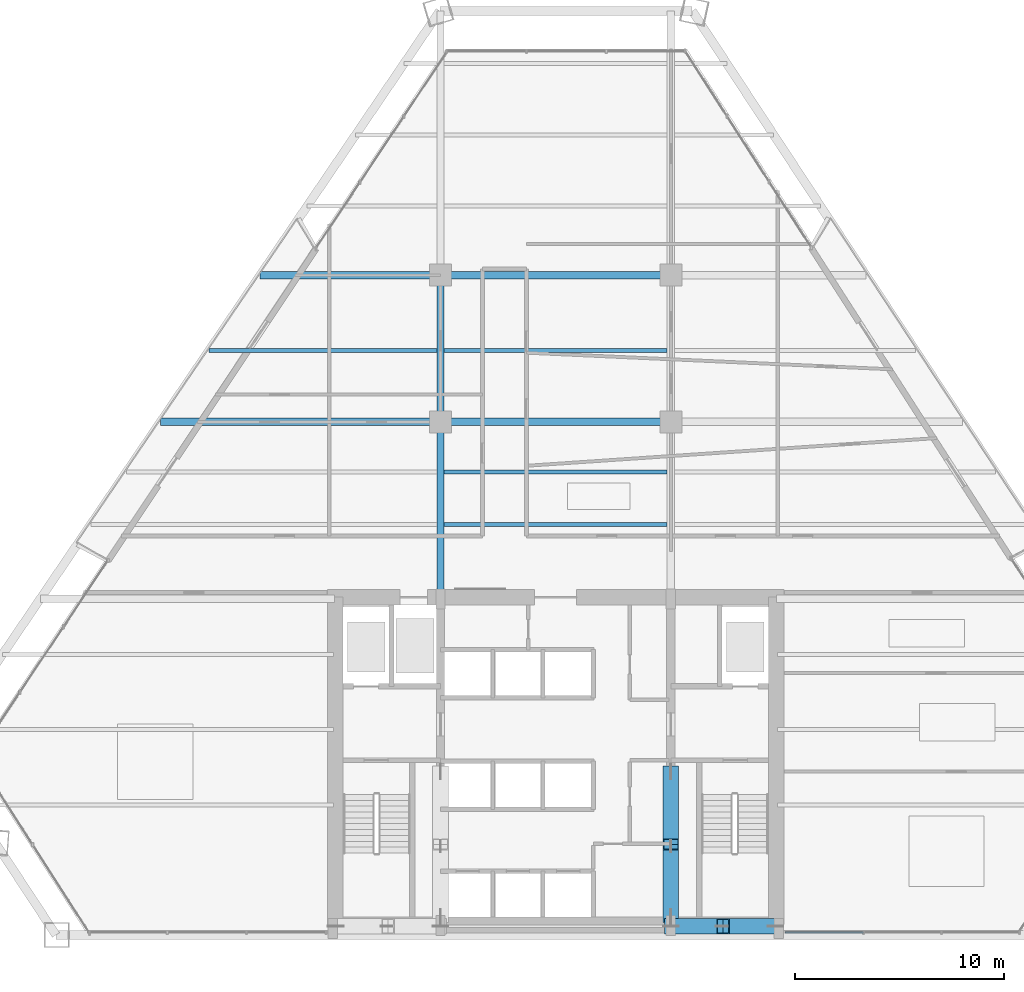
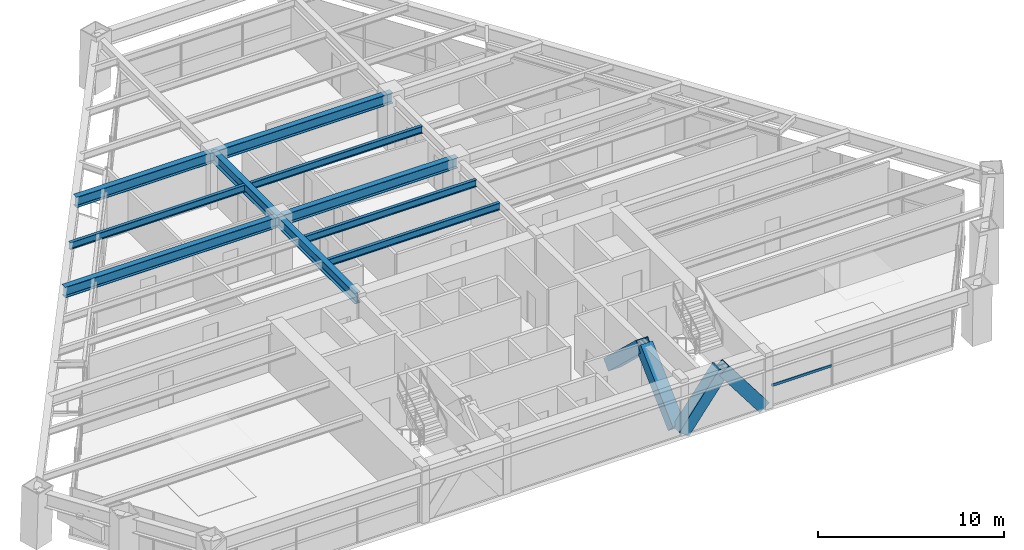
# One storey, part 5 of 15: 10 beams, 5 members, 1 element without a shape of its own.
"""IFC4 building model written with IfcOpenShell, lengths in metres."""

import ifcopenshell
import ifcopenshell.guid

model = None  # the IFC model being written
_history = None  # IfcOwnerHistory: only IFC2X3 demands one
_inside = {}  # id of a spatial element -> (the spatial element, [elements in it])
_under = {}  # id of a project, library or spatial element -> (it, [spatial elements below it])
_declared = {}  # id of a project -> (the project, [libraries it declares])
_typed = {}  # id of a type object -> (the type object, [elements of that type])
_made_of = {}  # id of a material, layer set ... -> (it, [elements and type objects made of it])


def new_model(schema):
    """Start an empty IFC model of exactly this schema.

    Asked for "IFC4X3", IfcOpenShell would pick the latest addendum, in which some entities
    have other attributes; the version numbers below select the first issue.
    IFC2X3 requires an IfcOwnerHistory on every rooted entity: one is made here for all.
    """
    global model, _history
    if schema == "IFC4X3":
        model = ifcopenshell.file(schema_version=(4, 3, 0, 0))
    else:
        model = ifcopenshell.file(schema=schema)
    _inside.clear()
    _under.clear()
    _declared.clear()
    _typed.clear()
    _made_of.clear()
    _history = None
    if model.schema == "IFC2X3":
        org = make("IfcOrganization", Name="unknown")
        user = make(
            "IfcPersonAndOrganization",
            ThePerson=make("IfcPerson", FamilyName="unknown"),
            TheOrganization=org,
        )
        app = make(
            "IfcApplication",
            ApplicationDeveloper=org,
            Version="unknown",
            ApplicationFullName="unknown",
            ApplicationIdentifier="unknown",
        )
        _history = make(
            "IfcOwnerHistory",
            OwningUser=user,
            OwningApplication=app,
            ChangeAction="ADDED",
            CreationDate=0,
        )
    return model


def make(cls, **values):
    """One entity of the class cls with the attributes given. An attribute that is None is left unset."""
    return model.create_entity(
        cls, **{name: value for name, value in values.items() if value is not None}
    )


def rooted(cls, **values):
    """An entity with a GlobalId (a new one), such as an element, a storey or a relation."""
    return make(cls, GlobalId=ifcopenshell.guid.new(), OwnerHistory=_history, **values)


def si_unit(unit_type, name, prefix=None):
    """IfcSIUnit, for example si_unit("LENGTHUNIT", "METRE", prefix="MILLI")."""
    return make("IfcSIUnit", UnitType=unit_type, Prefix=prefix, Name=name)


def assignment(units):
    """IfcUnitAssignment: the units of a project."""
    return None if units is None else make("IfcUnitAssignment", Units=units)


def point(xyz):
    """IfcCartesianPoint."""
    return None if xyz is None else make("IfcCartesianPoint", Coordinates=xyz)


def direction(xyz):
    """IfcDirection."""
    return None if xyz is None else make("IfcDirection", DirectionRatios=xyz)


def frame(location, z_axis=None, x_axis=None):
    """IfcAxis2Placement3D, a coordinate frame: its origin and axes. An axis left out is left unset."""
    return make(
        "IfcAxis2Placement3D",
        Location=point(location),
        Axis=direction(z_axis),
        RefDirection=direction(x_axis),
    )


def frame_2d(location, x_axis=None):
    """IfcAxis2Placement2D, a coordinate frame in the plane: its origin and x axis."""
    return make(
        "IfcAxis2Placement2D", Location=point(location), RefDirection=direction(x_axis)
    )


def origin():
    """The frame at (0, 0, 0) with its axes left unset."""
    return frame((0.0, 0.0, 0.0))


def origin_2d():
    """The frame at (0, 0) in the plane with its x axis left unset."""
    return frame_2d((0.0, 0.0))


def place(relative_to, where):
    """IfcLocalPlacement: puts the frame where relative to a parent placement (None: the world)."""
    return make(
        "IfcLocalPlacement", PlacementRelTo=relative_to, RelativePlacement=where
    )


def context(
    kind, dimensions, precision=None, world=None, true_north=None, identifier=None
):
    """IfcGeometricRepresentationContext, for example the 3D "Model" context."""
    return make(
        "IfcGeometricRepresentationContext",
        ContextIdentifier=identifier,
        ContextType=kind,
        CoordinateSpaceDimension=dimensions,
        Precision=precision,
        WorldCoordinateSystem=world,
        TrueNorth=true_north,
    )


def subcontext(parent, identifier, kind, view, scale=None):
    """IfcGeometricRepresentationSubContext, for example "Body" below "Model"."""
    return make(
        "IfcGeometricRepresentationSubContext",
        ContextIdentifier=identifier,
        ContextType=kind,
        ParentContext=parent,
        TargetScale=scale,
        TargetView=view,
    )


def project(units=None, contexts=None):
    """IfcProject with its units and contexts."""
    return rooted(
        "IfcProject",
        Name="project",
        RepresentationContexts=contexts,
        UnitsInContext=assignment(units),
    )


def spatial(cls, under=None, at=None, **own):
    """A site, building, storey or space (cls), placed at a placement, below another one or the project."""
    s = rooted(cls, ObjectPlacement=at, **own)
    if under is not None:
        _under.setdefault(under.id(), (under, []))[1].append(s)
    return s


def profile(cls, at=None, kind="AREA", **sizes):
    """A parametric profile (cls). Its sizes go by their IFC names, for example OverallWidth=200.0."""
    return make(cls, ProfileType=kind, Position=at, **sizes)


def rectangle(**sizes):
    """IfcRectangleProfileDef."""
    return profile("IfcRectangleProfileDef", **sizes)


def hollow_rectangle(**sizes):
    """IfcRectangleHollowProfileDef."""
    return profile("IfcRectangleHollowProfileDef", **sizes)


def i_section(**sizes):
    """IfcIShapeProfileDef."""
    return profile("IfcIShapeProfileDef", **sizes)


def extrude(swept, where, along, depth):
    """IfcExtrudedAreaSolid: the profile swept, set in the frame where, extruded along a direction by depth."""
    return make(
        "IfcExtrudedAreaSolid",
        SweptArea=swept,
        Position=where,
        ExtrudedDirection=direction(along),
        Depth=depth,
    )


def shape(context_of_items, identifier, shape_type, items):
    """IfcShapeRepresentation: the items that make up one representation, for example the "Body"."""
    return make(
        "IfcShapeRepresentation",
        ContextOfItems=context_of_items,
        RepresentationIdentifier=identifier,
        RepresentationType=shape_type,
        Items=items,
    )


def source(mapping_origin, context_of_items, identifier, shape_type, items):
    """IfcRepresentationMap: a shape defined once, which mapped items show again and again."""
    return make(
        "IfcRepresentationMap",
        MappingOrigin=mapping_origin,
        MappedRepresentation=shape(context_of_items, identifier, shape_type, items),
    )


def transform(
    local_origin,
    x_axis=None,
    y_axis=None,
    z_axis=None,
    scale=None,
    scale2=None,
    scale3=None,
    uniform=True,
):
    """IfcCartesianTransformationOperator3D, or its non-uniform kind. x_axis, y_axis, z_axis: its Axis1, 2, 3."""
    if uniform:
        return make(
            "IfcCartesianTransformationOperator3D",
            Axis1=direction(x_axis),
            Axis2=direction(y_axis),
            LocalOrigin=point(local_origin),
            Scale=scale,
            Axis3=direction(z_axis),
        )
    return make(
        "IfcCartesianTransformationOperator3DnonUniform",
        Axis1=direction(x_axis),
        Axis2=direction(y_axis),
        LocalOrigin=point(local_origin),
        Scale=scale,
        Axis3=direction(z_axis),
        Scale2=scale2,
        Scale3=scale3,
    )


def mapped(mapping_source, mapping_target):
    """IfcMappedItem: shows the shape of a source again, moved by a transform."""
    return make(
        "IfcMappedItem", MappingSource=mapping_source, MappingTarget=mapping_target
    )


def material(Name=None, Category=None):
    """IfcMaterial."""
    return make("IfcMaterial", Name=Name, Category=Category)


def material_profile(
    of_material, cross_section, Name=None, Category=None, Priority=None
):
    """IfcMaterialProfile: a cross section and its material."""
    return make(
        "IfcMaterialProfile",
        Name=Name,
        Material=of_material,
        Profile=cross_section,
        Priority=Priority,
        Category=Category,
    )


def profile_set(profiles, Name=None, composite=None):
    """IfcMaterialProfileSet."""
    return make(
        "IfcMaterialProfileSet",
        Name=Name,
        MaterialProfiles=profiles,
        CompositeProfile=composite,
    )


def made_of(thing, what):
    """Note that an element or type object is made of a material, layer set ...; save() writes the relation."""
    if what is not None:
        _made_of.setdefault(what.id(), (what, []))[1].append(thing)
    return thing


def type_object(cls, material=None, **own):
    """A type object (cls), such as IfcWallType, which elements share."""
    return made_of(rooted(cls, **own), material)


def type_shapes(of_type, sources):
    """Give a type object the sources (RepresentationMaps) that its elements show as mapped items."""
    of_type.RepresentationMaps = sources


def element(
    cls,
    number,
    at=None,
    inside=None,
    cuts=None,
    type_object=None,
    material=None,
    context=None,
    identifier="Body",
    shape_type=None,
    held_by="IfcProductDefinitionShape",
    body=None,
    shapes=None,
    **own,
):
    """One element of the class cls, such as IfcWall. Its Tag is "e" and its number.

    at: its placement. inside: the storey or other place that contains it. cuts: it is an
    opening in that element (IfcRelVoidsElement). A single representation is given by context,
    identifier, shape_type and body (its items); several are given by shapes. held_by: the class
    of the entity that holds the representations. save() writes the other relations.
    """
    e = rooted(cls, Tag="e%d" % number, ObjectPlacement=at, **own)
    if body is not None:
        shapes = [shape(context, identifier, shape_type, body)]
    if shapes is not None:
        e.Representation = make(held_by, Representations=shapes)
    if inside is not None:
        _inside.setdefault(inside.id(), (inside, []))[1].append(e)
    if cuts is not None:
        rooted(
            "IfcRelVoidsElement", RelatingBuildingElement=cuts, RelatedOpeningElement=e
        )
    if type_object is not None:
        _typed.setdefault(type_object.id(), (type_object, []))[1].append(e)
    return made_of(e, material)


def aggregate(whole, parts):
    """IfcRelAggregates: a whole, such as a stair, and the parts it consists of."""
    return rooted("IfcRelAggregates", RelatingObject=whole, RelatedObjects=parts)


def save(model, path):
    """Write the relations noted so far, then the file.

    IfcRelAggregates (storeys below a building ...), IfcRelContainedInSpatialStructure (elements
    in a storey), IfcRelDefinesByType, IfcRelAssociatesMaterial and IfcRelDeclares: one each for
    every whole, place, type object, material and project.
    """
    for whole, parts in _under.values():
        aggregate(whole, parts)
    for where, things in _inside.values():
        rooted(
            "IfcRelContainedInSpatialStructure",
            RelatedElements=things,
            RelatingStructure=where,
        )
    for kind, things in _typed.values():
        rooted("IfcRelDefinesByType", RelatedObjects=things, RelatingType=kind)
    for what, things in _made_of.values():
        rooted("IfcRelAssociatesMaterial", RelatedObjects=things, RelatingMaterial=what)
    for by, libraries in _declared.values():
        rooted("IfcRelDeclares", RelatingContext=by, RelatedDefinitions=libraries)
    model.write(path)


model = new_model("IFC4")

# Units and contexts
model_context = context("Model", 3, precision=1e-05, world=origin(), true_north=direction((0.0, 1.0)))
body_context = subcontext(model_context, "Body", "Model", "MODEL_VIEW")
ifc_project = project(units=[si_unit("LENGTHUNIT", "METRE"), si_unit("AREAUNIT", "SQUARE_METRE"), si_unit("VOLUMEUNIT", "CUBIC_METRE"), si_unit("PLANEANGLEUNIT", "RADIAN"), si_unit("MASSUNIT", "GRAM", prefix="KILO")], contexts=[model_context])

# Site, building, storey
site_placement = place(None, origin())
site = spatial("IfcSite", under=ifc_project, at=site_placement, CompositionType="ELEMENT")
building_placement = place(site_placement, origin())
building = spatial("IfcBuilding", under=site, at=building_placement, Name="Varnakhor Terracotta Tower", CompositionType="ELEMENT")
storey_placement = place(building_placement, frame((0.0, 0.0, 109.89990234375)))
storey = spatial("IfcBuildingStorey", under=building, at=storey_placement, Name="L27", CompositionType="ELEMENT", Elevation=109.89990234375)

# Beams
ifc_material_1 = material(Name="Steel S355", Category="steel")
ifc_material_profile_1 = material_profile(ifc_material_1, i_section(OverallWidth=0.35498046875, OverallDepth=0.695068359375, WebThickness=0.014892578125, FlangeThickness=0.02490234375, FilletRadius=0.01806640625, at=origin_2d()), Name="W27X146")
ifc_profile_set_1 = profile_set([ifc_material_profile_1], Name="Steel S355")
beam_type_1 = type_object("IfcBeamType", Name="BM-W27X146", PredefinedType="BEAM", material=ifc_profile_set_1)
shared_shape_1 = source(origin(), body_context, "Body", "SweptSolid", [
    extrude(i_section(OverallWidth=0.35498046875, OverallDepth=0.695068359375, WebThickness=0.014892578125, FlangeThickness=0.02490234375, FilletRadius=0.01806640625, at=origin_2d()), origin(), (0.0, 0.0, 1.0), 8.449951171875),
])
type_shapes(beam_type_1, [shared_shape_1])
beam_1_placement = place(storey_placement, frame((-5.5, 16.050048828125, 3.1025390625), z_axis=(0.0, 1.0, 0.0), x_axis=(-1.0, 0.0, 0.0)))
element("IfcBeam", 1, at=beam_1_placement, inside=storey, type_object=beam_type_1, Name="L27 Primary Girder NS1-W", PredefinedType="BEAM", context=body_context, shape_type="MappedRepresentation", body=[
    mapped(shared_shape_1, transform((0.0, 0.0, 0.0), scale=1.0)),
])
shared_shape_2 = source(origin(), body_context, "Body", "SweptSolid", [
    extrude(i_section(OverallWidth=0.35498046875, OverallDepth=0.695068359375, WebThickness=0.014892578125, FlangeThickness=0.02490234375, FilletRadius=0.01806640625, at=origin_2d()), origin(), (0.0, 0.0, 1.0), 7.0),
])
beam_2_placement = place(storey_placement, frame((-5.5, 24.5, 3.1025390625), z_axis=(0.0, 1.0, 0.0), x_axis=(-1.0, 0.0, 0.0)))
element("IfcBeam", 2, at=beam_2_placement, inside=storey, type_object=beam_type_1, Name="L27 Primary Girder NS2-W", PredefinedType="BEAM", context=body_context, shape_type="MappedRepresentation", body=[
    mapped(shared_shape_2, transform((0.0, 0.0, 0.0), scale=1.0)),
])
shared_shape_3 = source(origin(), body_context, "Body", "SweptSolid", [
    extrude(i_section(OverallWidth=0.35498046875, OverallDepth=0.695068359375, WebThickness=0.014892578125, FlangeThickness=0.02490234375, FilletRadius=0.01806640625, at=origin_2d()), origin(), (0.0, 0.0, 1.0), 11.0),
])
for number, where, z_axis, x_axis, name in (
    (3, (-5.5, 24.5, 3.1025390625), (1.0, 0.0, 0.0), (0.0, 1.0, 0.0), "L27 Primary Girder EW2-2"),
    (4, (-5.5, 31.5, 3.1025390625), (1.0, 0.0, 0.0), (0.0, 1.0, 0.0), "L27 Primary Girder EW3-2"),
):
    element("IfcBeam", number, at=place(storey_placement, frame(where, z_axis=z_axis, x_axis=x_axis)), inside=storey, type_object=beam_type_1, Name=name, PredefinedType="BEAM", context=body_context, shape_type="MappedRepresentation", body=[
        mapped(shared_shape_3, transform((0.0, 0.0, 0.0), scale=1.0)),
    ])
ifc_material_profile_2 = material_profile(ifc_material_1, i_section(OverallWidth=0.19189453125, OverallDepth=0.462890625, WebThickness=0.010498046875, FlangeThickness=0.017578125, FilletRadius=0.01806640625, at=origin_2d()), Name="W18X60")
ifc_profile_set_2 = profile_set([ifc_material_profile_2], Name="Steel S355")
beam_type_2 = type_object("IfcBeamType", Name="JST-W18X60", PredefinedType="JOIST", material=ifc_profile_set_2)
shared_shape_4 = source(origin(), body_context, "Body", "SweptSolid", [
    extrude(i_section(OverallWidth=0.19189453125, OverallDepth=0.462890625, WebThickness=0.010498046875, FlangeThickness=0.017578125, FilletRadius=0.01806640625, at=origin_2d()), origin(), (0.0, 0.0, 1.0), 10.65283203125),
])
for number, where, z_axis, x_axis, name in (
    (5, (-5.326416015625, 19.60009765625, 3.218505859375), (1.0, 0.0, 0.0), (0.0, 1.0, 0.0), "L27 Composite Floor Joist 4-2"),
    (6, (-5.326416015625, 22.10009765625, 3.218505859375), (1.0, 0.0, 0.0), (0.0, 1.0, 0.0), "L27 Composite Floor Joist 5-2"),
    (7, (-5.326416015625, 27.89990234375, 3.218505859375), (1.0, 0.0, 0.0), (0.0, 1.0, 0.0), "L27 Composite Floor Joist 6-2"),
):
    element("IfcBeam", number, at=place(storey_placement, frame(where, z_axis=z_axis, x_axis=x_axis)), inside=storey, type_object=beam_type_2, Name=name, PredefinedType="JOIST", context=body_context, shape_type="MappedRepresentation", body=[
        mapped(shared_shape_4, transform((0.0, 0.0, 0.0), scale=1.0)),
    ])

# Members
ifc_material_2 = material(Name="Steel S460", Category="steel")
ifc_material_profile_3 = material_profile(ifc_material_2, hollow_rectangle(XDim=0.75, YDim=0.75, WallThickness=0.044921875, at=origin_2d()), Name="HSS750X750X45")
ifc_profile_set_3 = profile_set([ifc_material_profile_3], Name="Steel S460")
member_type_1 = type_object("IfcMemberType", Name="MBR-MEGA-750", PredefinedType="BRACE", material=ifc_profile_set_3)
shared_shape_5 = source(origin(), body_context, "Body", "SweptSolid", [
    extrude(hollow_rectangle(XDim=0.75, YDim=0.75, WallThickness=0.044921875, at=origin_2d()), origin(), (0.0, 0.0, 1.0), 4.14013671875),
])
type_shapes(member_type_1, [shared_shape_5])
for number, where, z_axis, x_axis, name in (
    (8, (5.5, 0.419921875, 0.0), (0.603852011179, 0.0, 0.797096448741), (0.0, 1.0, 0.0), "L27 Core Coupled Brace CSEA"),
    (9, (10.5, 0.419921875, 0.0), (-0.603852011179, 0.0, 0.797096448741), (0.0, -1.0, 0.0), "L27 Core Coupled Brace CSEB"),
):
    element("IfcMember", number, at=place(storey_placement, frame(where, z_axis=z_axis, x_axis=x_axis)), inside=storey, type_object=member_type_1, Name=name, PredefinedType="BRACE", context=body_context, shape_type="MappedRepresentation", body=[
        mapped(shared_shape_5, transform((0.0, 0.0, 0.0), scale=1.0)),
    ])
shared_shape_6 = source(origin(), body_context, "Body", "SweptSolid", [
    extrude(hollow_rectangle(XDim=0.75, YDim=0.75, WallThickness=0.044921875, at=origin_2d()), origin(), (0.0, 0.0, 1.0), 4.792236328125),
])
for number, where, z_axis, x_axis, name in (
    (10, (5.5, 0.85009765625, 0.0), (0.0, 0.725110085518, 0.688632967466), (-1.0, 0.0, 0.0), "L27 Core Coupled Brace CWEA"),
    (11, (5.5, 7.800048828125, 0.0), (0.0, -0.72513424341, 0.688607529028), (1.0, 0.0, 0.0), "L27 Core Coupled Brace CWEB"),
):
    element("IfcMember", number, at=place(storey_placement, frame(where, z_axis=z_axis, x_axis=x_axis)), inside=storey, type_object=member_type_1, Name=name, PredefinedType="BRACE", context=body_context, shape_type="MappedRepresentation", body=[
        mapped(shared_shape_6, transform((0.0, 0.0, 0.0), scale=1.0)),
    ])

# Beams
shared_shape_7 = source(origin(), body_context, "Body", "SweptSolid", [
    extrude(i_section(OverallWidth=0.35498046875, OverallDepth=0.695068359375, WebThickness=0.014892578125, FlangeThickness=0.02490234375, FilletRadius=0.01806640625, at=origin_2d()), origin(), (0.0, 0.0, 1.0), 13.364501953125),
])
beam_3_placement = place(storey_placement, frame((-18.864501953125, 24.5, 3.1025390625), z_axis=(1.0, 0.0, 0.0), x_axis=(0.0, 1.0, 0.0)))
element("IfcBeam", 12, at=beam_3_placement, inside=storey, type_object=beam_type_1, Name="L27 Primary Girder EW2-1", PredefinedType="BEAM", context=body_context, shape_type="MappedRepresentation", body=[
    mapped(shared_shape_7, transform((0.0, 0.0, 0.0), scale=1.0)),
])
shared_shape_8 = source(origin(), body_context, "Body", "SweptSolid", [
    extrude(i_section(OverallWidth=0.35498046875, OverallDepth=0.695068359375, WebThickness=0.014892578125, FlangeThickness=0.02490234375, FilletRadius=0.01806640625, at=origin_2d()), origin(), (0.0, 0.0, 1.0), 8.606689453125),
])
beam_4_placement = place(storey_placement, frame((-14.106689453125, 31.5, 3.1025390625), z_axis=(1.0, 0.0, 0.0), x_axis=(0.0, 1.0, 0.0)))
element("IfcBeam", 13, at=beam_4_placement, inside=storey, type_object=beam_type_1, Name="L27 Primary Girder EW3-1", PredefinedType="BEAM", context=body_context, shape_type="MappedRepresentation", body=[
    mapped(shared_shape_8, transform((0.0, 0.0, 0.0), scale=1.0)),
])
shared_shape_9 = source(origin(), body_context, "Body", "SweptSolid", [
    extrude(i_section(OverallWidth=0.19189453125, OverallDepth=0.462890625, WebThickness=0.010498046875, FlangeThickness=0.017578125, FilletRadius=0.01806640625, at=origin_2d()), origin(), (0.0, 0.0, 1.0), 10.880126953125),
])
beam_5_placement = place(storey_placement, frame((-16.5537109375, 27.89990234375, 3.218505859375), z_axis=(1.0, 0.0, 0.0), x_axis=(0.0, 1.0, 0.0)))
element("IfcBeam", 14, at=beam_5_placement, inside=storey, type_object=beam_type_2, Name="L27 Composite Floor Joist 6-1", PredefinedType="JOIST", context=body_context, shape_type="MappedRepresentation", body=[
    mapped(shared_shape_9, transform((0.0, 0.0, 0.0), scale=1.0)),
])

# Curtain wall, member
ifc_material_3 = material(Name="Anodised Aluminium Curtain Wall System", Category="aluminium")
curtain_wall_type = type_object("IfcCurtainWallType", Name="CW-SYS-LOW-OFFICE", PredefinedType="NOTDEFINED", material=ifc_material_3)
curtain_wall_placement = place(storey_placement, origin())
curtain_wall = element("IfcCurtainWall", 15, at=curtain_wall_placement, inside=storey, type_object=curtain_wall_type, Name="L27 South Wing Curtain Wall SSE", PredefinedType="NOTDEFINED")
ifc_material_4 = material(Name="Anodised Aluminium 6063-T6", Category="aluminium")
ifc_material_profile_4 = material_profile(ifc_material_4, rectangle(XDim=0.074951171875, YDim=0.1650390625, at=origin_2d()), Name="ALU TRANSOM 75x165")
ifc_profile_set_4 = profile_set([ifc_material_profile_4], Name="Anodised Aluminium 6063-T6")
member_type_2 = type_object("IfcMemberType", Name="CWT-02", PredefinedType="USERDEFINED", material=ifc_profile_set_4)
shared_shape_10 = source(origin(), body_context, "Body", "SweptSolid", [
    extrude(rectangle(XDim=0.074951171875, YDim=0.1650390625, at=origin_2d()), origin(), (0.0, 0.0, 1.0), 3.72412109375),
])
member_placement = place(storey_placement, frame((14.694091796875, 0.1201171875, 1.272705078125), z_axis=(-1.0, 0.0, 0.0), x_axis=(0.0, -1.0, 0.0)))
member = element("IfcMember", 16, at=member_placement, type_object=member_type_2, Name="L27 South Wing Curtain Wall SSE Transom 3", ObjectType="TRANSOM", PredefinedType="USERDEFINED", context=body_context, shape_type="MappedRepresentation", body=[
    mapped(shared_shape_10, transform((0.0, 0.0, 0.0), scale=1.0)),
])
aggregate(curtain_wall, [member])

save(model, "model.ifc")
